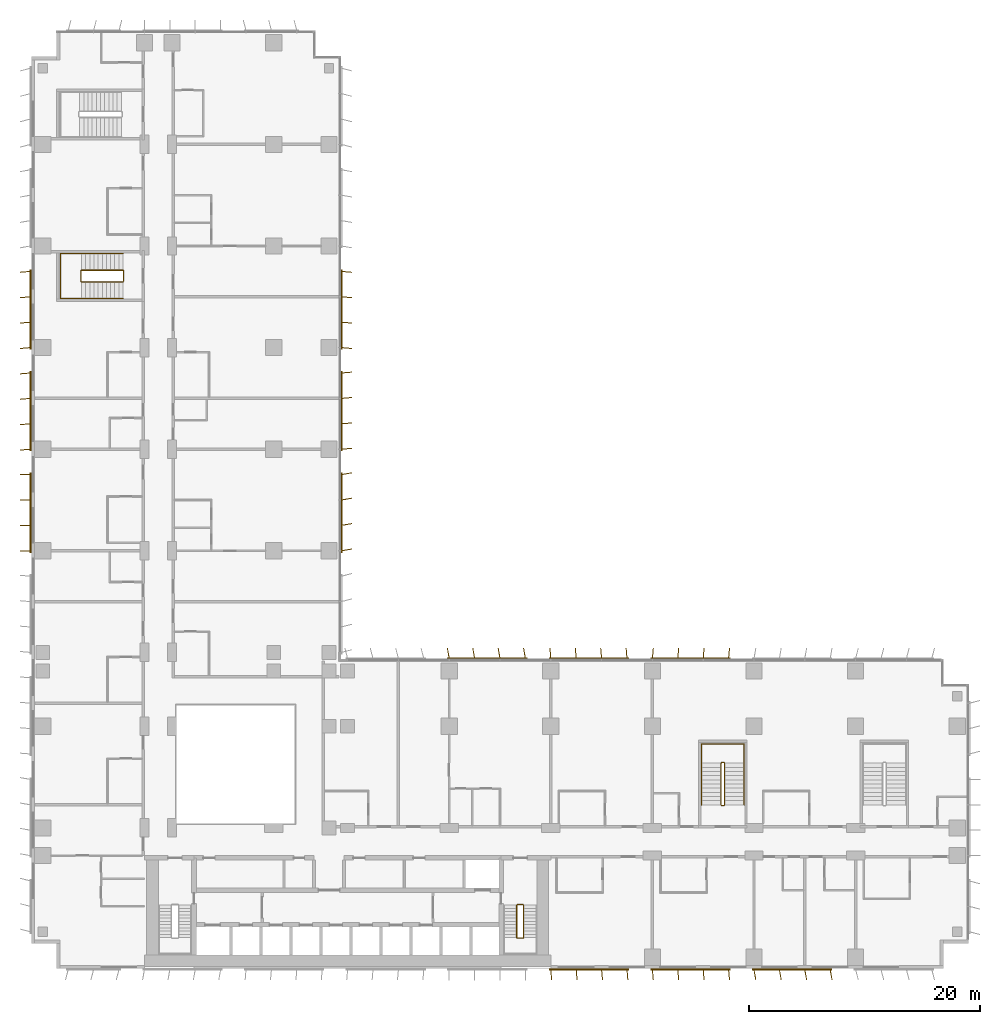
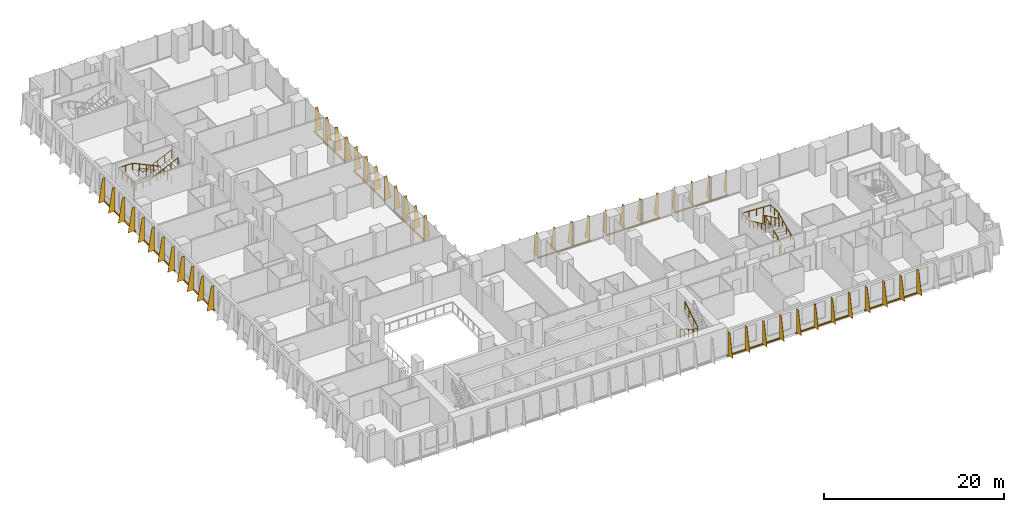
# One storey, part 22 of 24: 12 shading devices, 5 railings.
"""IFC4 building model written with IfcOpenShell, lengths in metres."""

import ifcopenshell
import ifcopenshell.guid

model = None  # the IFC model being written
_history = None  # IfcOwnerHistory: only IFC2X3 demands one
_inside = {}  # id of a spatial element -> (the spatial element, [elements in it])
_under = {}  # id of a project, library or spatial element -> (it, [spatial elements below it])
_declared = {}  # id of a project -> (the project, [libraries it declares])
_typed = {}  # id of a type object -> (the type object, [elements of that type])
_made_of = {}  # id of a material, layer set ... -> (it, [elements and type objects made of it])


def new_model(schema):
    """Start an empty IFC model of exactly this schema.

    Asked for "IFC4X3", IfcOpenShell would pick the latest addendum, in which some entities
    have other attributes; the version numbers below select the first issue.
    IFC2X3 requires an IfcOwnerHistory on every rooted entity: one is made here for all.
    """
    global model, _history
    if schema == "IFC4X3":
        model = ifcopenshell.file(schema_version=(4, 3, 0, 0))
    else:
        model = ifcopenshell.file(schema=schema)
    _inside.clear()
    _under.clear()
    _declared.clear()
    _typed.clear()
    _made_of.clear()
    _history = None
    if model.schema == "IFC2X3":
        org = make("IfcOrganization", Name="unknown")
        user = make(
            "IfcPersonAndOrganization",
            ThePerson=make("IfcPerson", FamilyName="unknown"),
            TheOrganization=org,
        )
        app = make(
            "IfcApplication",
            ApplicationDeveloper=org,
            Version="unknown",
            ApplicationFullName="unknown",
            ApplicationIdentifier="unknown",
        )
        _history = make(
            "IfcOwnerHistory",
            OwningUser=user,
            OwningApplication=app,
            ChangeAction="ADDED",
            CreationDate=0,
        )
    return model


def make(cls, **values):
    """One entity of the class cls with the attributes given. An attribute that is None is left unset."""
    return model.create_entity(
        cls, **{name: value for name, value in values.items() if value is not None}
    )


def rooted(cls, **values):
    """An entity with a GlobalId (a new one), such as an element, a storey or a relation."""
    return make(cls, GlobalId=ifcopenshell.guid.new(), OwnerHistory=_history, **values)


def si_unit(unit_type, name, prefix=None):
    """IfcSIUnit, for example si_unit("LENGTHUNIT", "METRE", prefix="MILLI")."""
    return make("IfcSIUnit", UnitType=unit_type, Prefix=prefix, Name=name)


def assignment(units):
    """IfcUnitAssignment: the units of a project."""
    return None if units is None else make("IfcUnitAssignment", Units=units)


def point(xyz):
    """IfcCartesianPoint."""
    return None if xyz is None else make("IfcCartesianPoint", Coordinates=xyz)


def direction(xyz):
    """IfcDirection."""
    return None if xyz is None else make("IfcDirection", DirectionRatios=xyz)


def frame(location, z_axis=None, x_axis=None):
    """IfcAxis2Placement3D, a coordinate frame: its origin and axes. An axis left out is left unset."""
    return make(
        "IfcAxis2Placement3D",
        Location=point(location),
        Axis=direction(z_axis),
        RefDirection=direction(x_axis),
    )


def frame_2d(location, x_axis=None):
    """IfcAxis2Placement2D, a coordinate frame in the plane: its origin and x axis."""
    return make(
        "IfcAxis2Placement2D", Location=point(location), RefDirection=direction(x_axis)
    )


def origin():
    """The frame at (0, 0, 0) with its axes left unset."""
    return frame((0.0, 0.0, 0.0))


def origin_2d():
    """The frame at (0, 0) in the plane with its x axis left unset."""
    return frame_2d((0.0, 0.0))


def place(relative_to, where):
    """IfcLocalPlacement: puts the frame where relative to a parent placement (None: the world)."""
    return make(
        "IfcLocalPlacement", PlacementRelTo=relative_to, RelativePlacement=where
    )


def context(
    kind, dimensions, precision=None, world=None, true_north=None, identifier=None
):
    """IfcGeometricRepresentationContext, for example the 3D "Model" context."""
    return make(
        "IfcGeometricRepresentationContext",
        ContextIdentifier=identifier,
        ContextType=kind,
        CoordinateSpaceDimension=dimensions,
        Precision=precision,
        WorldCoordinateSystem=world,
        TrueNorth=true_north,
    )


def subcontext(parent, identifier, kind, view, scale=None):
    """IfcGeometricRepresentationSubContext, for example "Body" below "Model"."""
    return make(
        "IfcGeometricRepresentationSubContext",
        ContextIdentifier=identifier,
        ContextType=kind,
        ParentContext=parent,
        TargetScale=scale,
        TargetView=view,
    )


def project(units=None, contexts=None):
    """IfcProject with its units and contexts."""
    return rooted(
        "IfcProject",
        Name="project",
        RepresentationContexts=contexts,
        UnitsInContext=assignment(units),
    )


def spatial(cls, under=None, at=None, **own):
    """A site, building, storey or space (cls), placed at a placement, below another one or the project."""
    s = rooted(cls, ObjectPlacement=at, **own)
    if under is not None:
        _under.setdefault(under.id(), (under, []))[1].append(s)
    return s


def polyline(points):
    """IfcPolyline through the points."""
    return make("IfcPolyline", Points=[point(p) for p in points])


def profile(cls, at=None, kind="AREA", **sizes):
    """A parametric profile (cls). Its sizes go by their IFC names, for example OverallWidth=200.0."""
    return make(cls, ProfileType=kind, Position=at, **sizes)


def rectangle(**sizes):
    """IfcRectangleProfileDef."""
    return profile("IfcRectangleProfileDef", **sizes)


def circle(**sizes):
    """IfcCircleProfileDef."""
    return profile("IfcCircleProfileDef", **sizes)


def outline(outer, holes=None, kind="AREA"):
    """IfcArbitraryClosedProfileDef: a profile drawn as a closed curve; with holes, ...WithVoids."""
    if holes is None:
        return make("IfcArbitraryClosedProfileDef", ProfileType=kind, OuterCurve=outer)
    return make(
        "IfcArbitraryProfileDefWithVoids",
        ProfileType=kind,
        OuterCurve=outer,
        InnerCurves=holes,
    )


def extrude(swept, where, along, depth):
    """IfcExtrudedAreaSolid: the profile swept, set in the frame where, extruded along a direction by depth."""
    return make(
        "IfcExtrudedAreaSolid",
        SweptArea=swept,
        Position=where,
        ExtrudedDirection=direction(along),
        Depth=depth,
    )


def shape(context_of_items, identifier, shape_type, items):
    """IfcShapeRepresentation: the items that make up one representation, for example the "Body"."""
    return make(
        "IfcShapeRepresentation",
        ContextOfItems=context_of_items,
        RepresentationIdentifier=identifier,
        RepresentationType=shape_type,
        Items=items,
    )


def source(mapping_origin, context_of_items, identifier, shape_type, items):
    """IfcRepresentationMap: a shape defined once, which mapped items show again and again."""
    return make(
        "IfcRepresentationMap",
        MappingOrigin=mapping_origin,
        MappedRepresentation=shape(context_of_items, identifier, shape_type, items),
    )


def transform(
    local_origin,
    x_axis=None,
    y_axis=None,
    z_axis=None,
    scale=None,
    scale2=None,
    scale3=None,
    uniform=True,
):
    """IfcCartesianTransformationOperator3D, or its non-uniform kind. x_axis, y_axis, z_axis: its Axis1, 2, 3."""
    if uniform:
        return make(
            "IfcCartesianTransformationOperator3D",
            Axis1=direction(x_axis),
            Axis2=direction(y_axis),
            LocalOrigin=point(local_origin),
            Scale=scale,
            Axis3=direction(z_axis),
        )
    return make(
        "IfcCartesianTransformationOperator3DnonUniform",
        Axis1=direction(x_axis),
        Axis2=direction(y_axis),
        LocalOrigin=point(local_origin),
        Scale=scale,
        Axis3=direction(z_axis),
        Scale2=scale2,
        Scale3=scale3,
    )


def mapped(mapping_source, mapping_target):
    """IfcMappedItem: shows the shape of a source again, moved by a transform."""
    return make(
        "IfcMappedItem", MappingSource=mapping_source, MappingTarget=mapping_target
    )


def material(Name=None, Category=None):
    """IfcMaterial."""
    return make("IfcMaterial", Name=Name, Category=Category)


def layer(
    of_material, thickness, ventilated=None, Name=None, Category=None, Priority=None
):
    """IfcMaterialLayer: one layer of a wall or slab, of a material (None: an air gap)."""
    return make(
        "IfcMaterialLayer",
        Material=of_material,
        LayerThickness=thickness,
        IsVentilated=ventilated,
        Name=Name,
        Category=Category,
        Priority=Priority,
    )


def layer_set(layers, Name=None):
    """IfcMaterialLayerSet."""
    return make("IfcMaterialLayerSet", MaterialLayers=layers, LayerSetName=Name)


def made_of(thing, what):
    """Note that an element or type object is made of a material, layer set ...; save() writes the relation."""
    if what is not None:
        _made_of.setdefault(what.id(), (what, []))[1].append(thing)
    return thing


def type_object(cls, material=None, **own):
    """A type object (cls), such as IfcWallType, which elements share."""
    return made_of(rooted(cls, **own), material)


def element(
    cls,
    number,
    at=None,
    inside=None,
    cuts=None,
    type_object=None,
    material=None,
    context=None,
    identifier="Body",
    shape_type=None,
    held_by="IfcProductDefinitionShape",
    body=None,
    shapes=None,
    **own,
):
    """One element of the class cls, such as IfcWall. Its Tag is "e" and its number.

    at: its placement. inside: the storey or other place that contains it. cuts: it is an
    opening in that element (IfcRelVoidsElement). A single representation is given by context,
    identifier, shape_type and body (its items); several are given by shapes. held_by: the class
    of the entity that holds the representations. save() writes the other relations.
    """
    e = rooted(cls, Tag="e%d" % number, ObjectPlacement=at, **own)
    if body is not None:
        shapes = [shape(context, identifier, shape_type, body)]
    if shapes is not None:
        e.Representation = make(held_by, Representations=shapes)
    if inside is not None:
        _inside.setdefault(inside.id(), (inside, []))[1].append(e)
    if cuts is not None:
        rooted(
            "IfcRelVoidsElement", RelatingBuildingElement=cuts, RelatedOpeningElement=e
        )
    if type_object is not None:
        _typed.setdefault(type_object.id(), (type_object, []))[1].append(e)
    return made_of(e, material)


def aggregate(whole, parts):
    """IfcRelAggregates: a whole, such as a stair, and the parts it consists of."""
    return rooted("IfcRelAggregates", RelatingObject=whole, RelatedObjects=parts)


def save(model, path):
    """Write the relations noted so far, then the file.

    IfcRelAggregates (storeys below a building ...), IfcRelContainedInSpatialStructure (elements
    in a storey), IfcRelDefinesByType, IfcRelAssociatesMaterial and IfcRelDeclares: one each for
    every whole, place, type object, material and project.
    """
    for whole, parts in _under.values():
        aggregate(whole, parts)
    for where, things in _inside.values():
        rooted(
            "IfcRelContainedInSpatialStructure",
            RelatedElements=things,
            RelatingStructure=where,
        )
    for kind, things in _typed.values():
        rooted("IfcRelDefinesByType", RelatedObjects=things, RelatingType=kind)
    for what, things in _made_of.values():
        rooted("IfcRelAssociatesMaterial", RelatedObjects=things, RelatingMaterial=what)
    for by, libraries in _declared.values():
        rooted("IfcRelDeclares", RelatingContext=by, RelatedDefinitions=libraries)
    model.write(path)


model = new_model("IFC4")

# Units and contexts
model_context = context("Model", 3, precision=1e-05, world=origin(), true_north=direction((0.0, 1.0)))
body_context = subcontext(model_context, "Body", "Model", "MODEL_VIEW")
ifc_project = project(units=[si_unit("LENGTHUNIT", "METRE"), si_unit("AREAUNIT", "SQUARE_METRE"), si_unit("VOLUMEUNIT", "CUBIC_METRE"), si_unit("PLANEANGLEUNIT", "RADIAN"), si_unit("MASSUNIT", "GRAM", prefix="KILO")], contexts=[model_context])

# Site, building, storey
site_placement = place(None, origin())
site = spatial("IfcSite", under=ifc_project, at=site_placement, CompositionType="ELEMENT")
building_placement = place(site_placement, origin())
building = spatial("IfcBuilding", under=site, at=building_placement, Name="Kemantara Hotel Tower", CompositionType="ELEMENT")
storey_placement = place(building_placement, frame((0.0, 0.0, 41.39990234375)))
storey = spatial("IfcBuildingStorey", under=building, at=storey_placement, Name="L08", CompositionType="ELEMENT", Elevation=41.39990234375)

# Railings
ifc_material_1 = material(Name="Stainless steel balustrade", Category="steel")
railing_type_1 = type_object("IfcRailingType", Name="Stair guard 1100 mm", PredefinedType="GUARDRAIL", material=ifc_material_1)
railing_1_placement = place(storey_placement, frame((42.64990234375, 5.5, 3.7001953125)))
element("IfcRailing", 1, at=railing_1_placement, inside=storey, type_object=railing_type_1, Name="L08 ST2 stair guard 1", PredefinedType="GUARDRAIL", context=body_context, shape_type="SweptSolid", body=[
    extrude(circle(Radius=0.02392578125, at=origin_2d()), frame((0.0, 0.0, 1.076171875), z_axis=(0.0, -0.857242210791, -0.514913383045), x_axis=(1.0, 0.0, 0.0)), (0.0, 0.0, 1.0), 3.266357421875),
    extrude(circle(Radius=0.02392578125, at=origin_2d()), frame((0.0, -2.800048828125, -0.60595703125), z_axis=(-0.273006030465, -0.27434429532, -0.922064485248), x_axis=(0.708833529934, -0.705375805398, 0.0)), (0.0, 0.0, 1.0), 0.182373046875),
    extrude(circle(Radius=0.02392578125, at=origin_2d()), frame((-0.0498046875, -2.85009765625, -0.77392578125), z_axis=(-1.0, 0.0, 0.0), x_axis=(0.0, -1.0, 0.0)), (0.0, 0.0, 1.0), 0.5),
    extrude(circle(Radius=0.02392578125, at=origin_2d()), frame((-0.5498046875, -2.85009765625, -0.77392578125), z_axis=(-0.707106781187, 0.707106781187, 0.0), x_axis=(-0.707106781187, -0.707106781187, 0.0)), (0.0, 0.0, 1.0), 0.07080078125),
    extrude(circle(Radius=0.02392578125, at=origin_2d()), frame((-0.599853515625, -2.800048828125, -0.77392578125), z_axis=(0.0, 0.857242210791, -0.514913383045), x_axis=(-1.0, 0.0, 0.0)), (0.0, 0.0, 1.0), 3.266357421875),
    extrude(circle(Radius=0.02392578125, at=origin_2d()), frame((-0.599853515625, 0.0, -2.4560546875), z_axis=(0.274243871929, 0.274243871929, -0.92172696468), x_axis=(-0.707106781187, 0.707106781187, 0.0)), (0.0, 0.0, 1.0), 0.1826171875),
    extrude(circle(Radius=0.02392578125, at=origin_2d()), frame((-0.5498046875, 0.050048828125, -2.6240234375), z_axis=(1.0, 0.0, 0.0), x_axis=(0.0, 1.0, 0.0)), (0.0, 0.0, 1.0), 0.5),
    extrude(circle(Radius=0.02099609375, at=origin_2d()), origin(), (0.0, 0.0, 1.0), 1.052001953125),
    extrude(circle(Radius=0.02099609375, at=origin_2d()), frame((0.0, -0.933349609375, -0.560546875)), (0.0, 0.0, 1.0), 1.052001953125),
    extrude(circle(Radius=0.02099609375, at=origin_2d()), frame((0.0, -1.86669921875, -1.121337890625)), (0.0, 0.0, 1.0), 1.052001953125),
    extrude(circle(Radius=0.02099609375, at=origin_2d()), frame((0.0, -2.800048828125, -1.681884765625)), (0.0, 0.0, 1.0), 1.052001953125),
    extrude(circle(Radius=0.02099609375, at=origin_2d()), frame((-0.0498046875, -2.85009765625, -1.85009765625)), (0.0, 0.0, 1.0), 1.052001953125),
    extrude(circle(Radius=0.02099609375, at=origin_2d()), frame((-0.5498046875, -2.85009765625, -1.85009765625)), (0.0, 0.0, 1.0), 1.052001953125),
    extrude(circle(Radius=0.02099609375, at=origin_2d()), frame((-0.599853515625, -2.800048828125, -1.85009765625)), (0.0, 0.0, 1.0), 1.052001953125),
    extrude(circle(Radius=0.02099609375, at=origin_2d()), frame((-0.599853515625, -1.86669921875, -2.41064453125)), (0.0, 0.0, 1.0), 1.052001953125),
    extrude(circle(Radius=0.02099609375, at=origin_2d()), frame((-0.599853515625, -0.933349609375, -2.971435546875)), (0.0, 0.0, 1.0), 1.052001953125),
    extrude(circle(Radius=0.02099609375, at=origin_2d()), frame((-0.599853515625, 0.0, -3.531982421875)), (0.0, 0.0, 1.0), 1.052001953125),
    extrude(circle(Radius=0.02099609375, at=origin_2d()), frame((-0.5498046875, 0.050048828125, -3.7001953125)), (0.0, 0.0, 1.0), 1.052001953125),
    extrude(circle(Radius=0.02099609375, at=origin_2d()), frame((-0.0498046875, 0.050048828125, -3.7001953125)), (0.0, 0.0, 1.0), 1.052001953125),
])
railing_2_placement = place(storey_placement, frame((59.75, 14.199951171875, 3.7001953125)))
element("IfcRailing", 2, at=railing_2_placement, inside=storey, type_object=railing_type_1, Name="L08 ST3 stair guard 1", PredefinedType="GUARDRAIL", context=body_context, shape_type="SweptSolid", body=[
    extrude(circle(Radius=0.02392578125, at=origin_2d()), frame((0.0, 0.0, 1.076171875), z_axis=(0.0, 0.906005689286, -0.423265508849), x_axis=(-1.0, 0.0, 0.0)), (0.0, 0.0, 1.0), 3.9736328125),
    extrude(circle(Radius=0.02392578125, at=origin_2d()), frame((0.0, 3.60009765625, -0.60595703125), z_axis=(0.274243871929, 0.274243871929, -0.92172696468), x_axis=(-0.707106781187, 0.707106781187, 0.0)), (0.0, 0.0, 1.0), 0.1826171875),
    extrude(circle(Radius=0.02392578125, at=origin_2d()), frame((0.050048828125, 3.650146484375, -0.77392578125), z_axis=(1.0, 0.0, 0.0), x_axis=(0.0, 1.0, 0.0)), (0.0, 0.0, 1.0), 0.199951171875),
    extrude(circle(Radius=0.02392578125, at=origin_2d()), frame((0.25, 3.650146484375, -0.77392578125), z_axis=(0.707106781187, -0.707106781187, 0.0), x_axis=(0.707106781187, 0.707106781187, 0.0)), (0.0, 0.0, 1.0), 0.07080078125),
    extrude(circle(Radius=0.02392578125, at=origin_2d()), frame((0.300048828125, 3.60009765625, -0.77392578125), z_axis=(0.0, -0.906005689286, -0.423265508849), x_axis=(1.0, 0.0, 0.0)), (0.0, 0.0, 1.0), 3.9736328125),
    extrude(circle(Radius=0.02392578125, at=origin_2d()), frame((0.300048828125, 0.0, -2.4560546875), z_axis=(-0.274243871929, -0.274243871929, -0.92172696468), x_axis=(0.707106781187, -0.707106781187, 0.0)), (0.0, 0.0, 1.0), 0.1826171875),
    extrude(circle(Radius=0.02392578125, at=origin_2d()), frame((0.25, -0.050048828125, -2.6240234375), z_axis=(-1.0, 0.0, 0.0), x_axis=(0.0, -1.0, 0.0)), (0.0, 0.0, 1.0), 0.199951171875),
    extrude(circle(Radius=0.02099609375, at=origin_2d()), origin(), (0.0, 0.0, 1.0), 1.052001953125),
    extrude(circle(Radius=0.02099609375, at=origin_2d()), frame((0.0, 0.89990234375, -0.42041015625)), (0.0, 0.0, 1.0), 1.052001953125),
    extrude(circle(Radius=0.02099609375, at=origin_2d()), frame((0.0, 1.800048828125, -0.8408203125)), (0.0, 0.0, 1.0), 1.052001953125),
    extrude(circle(Radius=0.02099609375, at=origin_2d()), frame((0.0, 2.7001953125, -1.261474609375)), (0.0, 0.0, 1.0), 1.052001953125),
    extrude(circle(Radius=0.02099609375, at=origin_2d()), frame((0.0, 3.60009765625, -1.681884765625)), (0.0, 0.0, 1.0), 1.052001953125),
    extrude(circle(Radius=0.02099609375, at=origin_2d()), frame((0.050048828125, 3.650146484375, -1.85009765625)), (0.0, 0.0, 1.0), 1.052001953125),
    extrude(circle(Radius=0.02099609375, at=origin_2d()), frame((0.25, 3.650146484375, -1.85009765625)), (0.0, 0.0, 1.0), 1.052001953125),
    extrude(circle(Radius=0.02099609375, at=origin_2d()), frame((0.300048828125, 3.60009765625, -1.85009765625)), (0.0, 0.0, 1.0), 1.052001953125),
    extrude(circle(Radius=0.02099609375, at=origin_2d()), frame((0.300048828125, 2.7001953125, -2.2705078125)), (0.0, 0.0, 1.0), 1.052001953125),
    extrude(circle(Radius=0.02099609375, at=origin_2d()), frame((0.300048828125, 1.800048828125, -2.69091796875)), (0.0, 0.0, 1.0), 1.052001953125),
    extrude(circle(Radius=0.02099609375, at=origin_2d()), frame((0.300048828125, 0.89990234375, -3.111572265625)), (0.0, 0.0, 1.0), 1.052001953125),
    extrude(circle(Radius=0.02099609375, at=origin_2d()), frame((0.300048828125, 0.0, -3.531982421875)), (0.0, 0.0, 1.0), 1.052001953125),
    extrude(circle(Radius=0.02099609375, at=origin_2d()), frame((0.25, -0.050048828125, -3.7001953125)), (0.0, 0.0, 1.0), 1.052001953125),
    extrude(circle(Radius=0.02099609375, at=origin_2d()), frame((0.050048828125, -0.050048828125, -3.7001953125)), (0.0, 0.0, 1.0), 1.052001953125),
])
railing_3_placement = place(storey_placement, frame((7.949951171875, 59.5, 3.7001953125)))
element("IfcRailing", 3, at=railing_3_placement, inside=storey, type_object=railing_type_1, Name="L08 ST4 stair guard 1", PredefinedType="GUARDRAIL", context=body_context, shape_type="SweptSolid", body=[
    extrude(circle(Radius=0.02392578125, at=origin_2d()), frame((0.0, 0.0, 1.076171875), z_axis=(-0.905994681025, 0.0, -0.423289071386), x_axis=(0.0, -1.0, 0.0)), (0.0, 0.0, 1.0), 3.973388671875),
    extrude(circle(Radius=0.02392578125, at=origin_2d()), frame((-3.599853515625, 0.0, -0.60595703125), z_axis=(-0.274243871929, 0.274243871929, -0.92172696468), x_axis=(-0.707106781187, -0.707106781187, 0.0)), (0.0, 0.0, 1.0), 0.1826171875),
    extrude(circle(Radius=0.02392578125, at=origin_2d()), frame((-3.64990234375, 0.050048828125, -0.77392578125), z_axis=(0.0, 1.0, 0.0), x_axis=(-1.0, 0.0, 0.0)), (0.0, 0.0, 1.0), 0.89990234375),
    extrude(circle(Radius=0.02392578125, at=origin_2d()), frame((-3.64990234375, 0.949951171875, -0.77392578125), z_axis=(0.707106781187, 0.707106781187, 0.0), x_axis=(-0.707106781187, 0.707106781187, 0.0)), (0.0, 0.0, 1.0), 0.07080078125),
    extrude(circle(Radius=0.02392578125, at=origin_2d()), frame((-3.599853515625, 1.0, -0.77392578125), z_axis=(0.905994681025, 0.0, -0.423289071386), x_axis=(0.0, 1.0, 0.0)), (0.0, 0.0, 1.0), 3.973388671875),
    extrude(circle(Radius=0.02392578125, at=origin_2d()), frame((0.0, 1.0, -2.4560546875), z_axis=(0.274243871929, -0.274243871929, -0.92172696468), x_axis=(0.707106781187, 0.707106781187, 0.0)), (0.0, 0.0, 1.0), 0.1826171875),
    extrude(circle(Radius=0.02392578125, at=origin_2d()), frame((0.050048828125, 0.949951171875, -2.6240234375), z_axis=(0.0, -1.0, 0.0), x_axis=(1.0, 0.0, 0.0)), (0.0, 0.0, 1.0), 0.89990234375),
    extrude(circle(Radius=0.02099609375, at=origin_2d()), origin(), (0.0, 0.0, 1.0), 1.052001953125),
    extrude(circle(Radius=0.02099609375, at=origin_2d()), frame((-0.89990234375, 0.0, -0.42041015625)), (0.0, 0.0, 1.0), 1.052001953125),
    extrude(circle(Radius=0.02099609375, at=origin_2d()), frame((-1.7998046875, 0.0, -0.8408203125)), (0.0, 0.0, 1.0), 1.052001953125),
    extrude(circle(Radius=0.02099609375, at=origin_2d()), frame((-2.699951171875, 0.0, -1.261474609375)), (0.0, 0.0, 1.0), 1.052001953125),
    extrude(circle(Radius=0.02099609375, at=origin_2d()), frame((-3.599853515625, 0.0, -1.681884765625)), (0.0, 0.0, 1.0), 1.052001953125),
    extrude(circle(Radius=0.02099609375, at=origin_2d()), frame((-3.64990234375, 0.050048828125, -1.85009765625)), (0.0, 0.0, 1.0), 1.052001953125),
    extrude(circle(Radius=0.02099609375, at=origin_2d()), frame((-3.64990234375, 0.949951171875, -1.85009765625)), (0.0, 0.0, 1.0), 1.052001953125),
    extrude(circle(Radius=0.02099609375, at=origin_2d()), frame((-3.599853515625, 1.0, -1.85009765625)), (0.0, 0.0, 1.0), 1.052001953125),
    extrude(circle(Radius=0.02099609375, at=origin_2d()), frame((-2.699951171875, 1.0, -2.2705078125)), (0.0, 0.0, 1.0), 1.052001953125),
    extrude(circle(Radius=0.02099609375, at=origin_2d()), frame((-1.7998046875, 1.0, -2.69091796875)), (0.0, 0.0, 1.0), 1.052001953125),
    extrude(circle(Radius=0.02099609375, at=origin_2d()), frame((-0.89990234375, 1.0, -3.111572265625)), (0.0, 0.0, 1.0), 1.052001953125),
    extrude(circle(Radius=0.02099609375, at=origin_2d()), frame((0.0, 1.0, -3.531982421875)), (0.0, 0.0, 1.0), 1.052001953125),
    extrude(circle(Radius=0.02099609375, at=origin_2d()), frame((0.050048828125, 0.949951171875, -3.7001953125)), (0.0, 0.0, 1.0), 1.052001953125),
    extrude(circle(Radius=0.02099609375, at=origin_2d()), frame((0.050048828125, 0.050048828125, -3.7001953125)), (0.0, 0.0, 1.0), 1.052001953125),
])
railing_type_2 = type_object("IfcRailingType", Name="Stair handrail 900 mm", PredefinedType="HANDRAIL", material=ifc_material_1)
railing_4_placement = place(storey_placement, frame((61.75, 14.199951171875, 0.168212890625)))
element("IfcRailing", 4, at=railing_4_placement, inside=storey, type_object=railing_type_2, Name="L08 ST3 stair handrail 1", PredefinedType="HANDRAIL", context=body_context, shape_type="SweptSolid", body=[
    extrude(circle(Radius=0.02392578125, at=origin_2d()), frame((0.0, 0.0, 0.8759765625), z_axis=(0.0, 0.906005689286, 0.423265508849), x_axis=(-1.0, 0.0, 0.0)), (0.0, 0.0, 1.0), 3.9736328125),
    extrude(circle(Radius=0.02392578125, at=origin_2d()), frame((0.0, 3.60009765625, 2.5576171875), z_axis=(0.0, 1.0, 0.0), x_axis=(-1.0, 0.0, 0.0)), (0.0, 0.0, 1.0), 1.679931640625),
    extrude(circle(Radius=0.02392578125, at=origin_2d()), frame((0.0, 5.280029296875, 2.5576171875), z_axis=(-0.998968132438, 0.0, 0.045416631029), x_axis=(0.0, -1.0, 0.0)), (0.0, 0.0, 1.0), 3.703857421875),
    extrude(circle(Radius=0.02392578125, at=origin_2d()), frame((-3.699951171875, 5.280029296875, 2.72607421875), z_axis=(0.0, -1.0, 0.0), x_axis=(1.0, 0.0, 0.0)), (0.0, 0.0, 1.0), 1.679931640625),
    extrude(circle(Radius=0.02392578125, at=origin_2d()), frame((-3.699951171875, 3.60009765625, 2.72607421875), z_axis=(0.0, -0.906005689286, 0.423265508849), x_axis=(1.0, 0.0, 0.0)), (0.0, 0.0, 1.0), 3.9736328125),
    extrude(circle(Radius=0.02099609375, at=origin_2d()), origin(), (0.0, 0.0, 1.0), 0.851806640625),
    extrude(circle(Radius=0.02099609375, at=origin_2d()), frame((0.0, 0.89990234375, 0.42041015625)), (0.0, 0.0, 1.0), 0.851806640625),
    extrude(circle(Radius=0.02099609375, at=origin_2d()), frame((0.0, 1.800048828125, 0.8408203125)), (0.0, 0.0, 1.0), 0.851806640625),
    extrude(circle(Radius=0.02099609375, at=origin_2d()), frame((0.0, 2.7001953125, 1.261474609375)), (0.0, 0.0, 1.0), 0.851806640625),
    extrude(circle(Radius=0.02099609375, at=origin_2d()), frame((0.0, 3.60009765625, 1.681884765625)), (0.0, 0.0, 1.0), 0.851806640625),
    extrude(circle(Radius=0.02099609375, at=origin_2d()), frame((0.0, 4.43994140625, 1.681884765625)), (0.0, 0.0, 1.0), 0.851806640625),
    extrude(circle(Radius=0.02099609375, at=origin_2d()), frame((0.0, 5.280029296875, 1.681884765625)), (0.0, 0.0, 1.0), 0.851806640625),
    extrude(circle(Radius=0.02099609375, at=origin_2d()), frame((-0.925048828125, 5.280029296875, 1.723876953125)), (0.0, 0.0, 1.0), 0.851806640625),
    extrude(circle(Radius=0.02099609375, at=origin_2d()), frame((-1.85009765625, 5.280029296875, 1.76611328125)), (0.0, 0.0, 1.0), 0.851806640625),
    extrude(circle(Radius=0.02099609375, at=origin_2d()), frame((-2.77490234375, 5.280029296875, 1.80810546875)), (0.0, 0.0, 1.0), 0.851806640625),
    extrude(circle(Radius=0.02099609375, at=origin_2d()), frame((-3.699951171875, 5.280029296875, 1.85009765625)), (0.0, 0.0, 1.0), 0.851806640625),
    extrude(circle(Radius=0.02099609375, at=origin_2d()), frame((-3.699951171875, 4.43994140625, 1.85009765625)), (0.0, 0.0, 1.0), 0.851806640625),
    extrude(circle(Radius=0.02099609375, at=origin_2d()), frame((-3.699951171875, 3.60009765625, 1.85009765625)), (0.0, 0.0, 1.0), 0.851806640625),
    extrude(circle(Radius=0.02099609375, at=origin_2d()), frame((-3.699951171875, 2.7001953125, 2.2705078125)), (0.0, 0.0, 1.0), 0.851806640625),
    extrude(circle(Radius=0.02099609375, at=origin_2d()), frame((-3.699951171875, 1.800048828125, 2.69091796875)), (0.0, 0.0, 1.0), 0.851806640625),
    extrude(circle(Radius=0.02099609375, at=origin_2d()), frame((-3.699951171875, 0.89990234375, 3.111572265625)), (0.0, 0.0, 1.0), 0.851806640625),
    extrude(circle(Radius=0.02099609375, at=origin_2d()), frame((-3.699951171875, 0.0, 3.531982421875)), (0.0, 0.0, 1.0), 0.851806640625),
])
railing_5_placement = place(storey_placement, frame((7.949951171875, 61.949951171875, 0.168212890625)))
element("IfcRailing", 5, at=railing_5_placement, inside=storey, type_object=railing_type_2, Name="L08 ST4 stair handrail 1", PredefinedType="HANDRAIL", context=body_context, shape_type="SweptSolid", body=[
    extrude(circle(Radius=0.02392578125, at=origin_2d()), frame((0.0, 0.0, 0.8759765625), z_axis=(-0.905994681025, 0.0, 0.423289071386), x_axis=(0.0, -1.0, 0.0)), (0.0, 0.0, 1.0), 3.973388671875),
    extrude(circle(Radius=0.02392578125, at=origin_2d()), frame((-3.599853515625, 0.0, 2.5576171875), z_axis=(-1.0, 0.0, 0.0), x_axis=(0.0, -1.0, 0.0)), (0.0, 0.0, 1.0), 1.830078125),
    extrude(circle(Radius=0.02392578125, at=origin_2d()), frame((-5.429931640625, 0.0, 2.5576171875), z_axis=(0.0, -0.999071085748, 0.043092523981), x_axis=(1.0, 0.0, 0.0)), (0.0, 0.0, 1.0), 3.903564453125),
    extrude(circle(Radius=0.02392578125, at=origin_2d()), frame((-5.429931640625, -3.89990234375, 2.72607421875), z_axis=(1.0, 0.0, 0.0), x_axis=(0.0, 1.0, 0.0)), (0.0, 0.0, 1.0), 1.830078125),
    extrude(circle(Radius=0.02392578125, at=origin_2d()), frame((-3.599853515625, -3.89990234375, 2.72607421875), z_axis=(0.905994681025, 0.0, 0.423289071386), x_axis=(0.0, 1.0, 0.0)), (0.0, 0.0, 1.0), 3.973388671875),
    extrude(circle(Radius=0.02099609375, at=origin_2d()), origin(), (0.0, 0.0, 1.0), 0.851806640625),
    extrude(circle(Radius=0.02099609375, at=origin_2d()), frame((-0.89990234375, 0.0, 0.42041015625)), (0.0, 0.0, 1.0), 0.851806640625),
    extrude(circle(Radius=0.02099609375, at=origin_2d()), frame((-1.7998046875, 0.0, 0.8408203125)), (0.0, 0.0, 1.0), 0.851806640625),
    extrude(circle(Radius=0.02099609375, at=origin_2d()), frame((-2.699951171875, 0.0, 1.261474609375)), (0.0, 0.0, 1.0), 0.851806640625),
    extrude(circle(Radius=0.02099609375, at=origin_2d()), frame((-3.599853515625, 0.0, 1.681884765625)), (0.0, 0.0, 1.0), 0.851806640625),
    extrude(circle(Radius=0.02099609375, at=origin_2d()), frame((-4.514892578125, 0.0, 1.681884765625)), (0.0, 0.0, 1.0), 0.851806640625),
    extrude(circle(Radius=0.02099609375, at=origin_2d()), frame((-5.429931640625, 0.0, 1.681884765625)), (0.0, 0.0, 1.0), 0.851806640625),
    extrude(circle(Radius=0.02099609375, at=origin_2d()), frame((-5.429931640625, -0.97509765625, 1.723876953125)), (0.0, 0.0, 1.0), 0.851806640625),
    extrude(circle(Radius=0.02099609375, at=origin_2d()), frame((-5.429931640625, -1.949951171875, 1.76611328125)), (0.0, 0.0, 1.0), 0.851806640625),
    extrude(circle(Radius=0.02099609375, at=origin_2d()), frame((-5.429931640625, -2.9248046875, 1.80810546875)), (0.0, 0.0, 1.0), 0.851806640625),
    extrude(circle(Radius=0.02099609375, at=origin_2d()), frame((-5.429931640625, -3.89990234375, 1.85009765625)), (0.0, 0.0, 1.0), 0.851806640625),
    extrude(circle(Radius=0.02099609375, at=origin_2d()), frame((-4.514892578125, -3.89990234375, 1.85009765625)), (0.0, 0.0, 1.0), 0.851806640625),
    extrude(circle(Radius=0.02099609375, at=origin_2d()), frame((-3.599853515625, -3.89990234375, 1.85009765625)), (0.0, 0.0, 1.0), 0.851806640625),
    extrude(circle(Radius=0.02099609375, at=origin_2d()), frame((-2.699951171875, -3.89990234375, 2.2705078125)), (0.0, 0.0, 1.0), 0.851806640625),
    extrude(circle(Radius=0.02099609375, at=origin_2d()), frame((-1.7998046875, -3.89990234375, 2.69091796875)), (0.0, 0.0, 1.0), 0.851806640625),
    extrude(circle(Radius=0.02099609375, at=origin_2d()), frame((-0.89990234375, -3.89990234375, 3.111572265625)), (0.0, 0.0, 1.0), 0.851806640625),
    extrude(circle(Radius=0.02099609375, at=origin_2d()), frame((0.0, -3.89990234375, 3.531982421875)), (0.0, 0.0, 1.0), 0.851806640625),
])

# Shading devices
ifc_material_2 = material(Name="Perforated aluminium plate 4 mm bronze anodised", Category="aluminium")
ifc_layer_1 = layer(ifc_material_2, 0.0400390625)
ifc_layer_set_1 = layer_set([ifc_layer_1], Name="Perforated aluminium plate 4 mm bronze anodised")
shading_device_type_1 = type_object("IfcShadingDeviceType", Name="SCREEN FIN CASSETTE, 4 BLADES AT -5.0 DEG, 3200 HIGH", PredefinedType="USERDEFINED", material=ifc_layer_set_1)
shared_shape_1 = source(origin(), body_context, "Body", "SweptSolid", [
    extrude(rectangle(XDim=6.89990234375, YDim=0.14990234375, at=origin_2d()), frame((3.300048828125, -0.074951171875, -0.14990234375), z_axis=(0.0, 0.0, 1.0), x_axis=(1.0, 0.0, 0.0)), (0.0, 0.0, 1.0), 0.14990234375),
    extrude(outline(polyline([(0.0, 0.0), (0.89990234375, 0.0), (0.35009765625, 3.199951171875), (0.0, 3.199951171875), (0.0, 0.0)])), frame((0.02001953125, -0.07666015625, 0.0), z_axis=(-0.996376129781, 0.085056498884, 0.0), x_axis=(-0.085056498884, -0.996376129781, 0.0)), (0.0, 0.0, 1.0), 0.040283203125),
    extrude(outline(polyline([(0.0, 0.0), (0.89990234375, 0.0), (0.35009765625, 3.199951171875), (0.0, 3.199951171875), (0.0, 0.0)])), frame((2.219970703125, -0.07666015625, 0.0), z_axis=(-0.996331773833, 0.085574508182, 0.0), x_axis=(-0.085574508182, -0.996331773833, 0.0)), (0.0, 0.0, 1.0), 0.0400390625),
    extrude(outline(polyline([(0.0, 0.0), (0.89990234375, 0.0), (0.35009765625, 3.199951171875), (0.0, 3.199951171875), (0.0, 0.0)])), frame((4.419921875, -0.07666015625, 0.0), z_axis=(-0.996331773833, 0.085574508182, 0.0), x_axis=(-0.085574508182, -0.996331773833, 0.0)), (0.0, 0.0, 1.0), 0.0400390625),
    extrude(outline(polyline([(0.0, 0.0), (0.89990234375, 0.0), (0.35009765625, 3.199951171875), (0.0, 3.199951171875), (0.0, 0.0)])), frame((6.619873046875, -0.07666015625, 0.0), z_axis=(-0.996331773833, 0.085574508182, 0.0), x_axis=(-0.085574508182, -0.996331773833, 0.0)), (0.0, 0.0, 1.0), 0.0400390625),
])
for number, where, z_axis, x_axis, name in (
    (6, (60.39990234375, 26.800048828125, 0.10009765625), (0.0, 0.0, 1.0), (-1.0, 0.0, 0.0), "SCREEN FIN CASSETTE L08 T1-R07-3"),
    (7, (26.800048828125, 53.800048828125, 0.10009765625), (0.0, 0.0, 1.0), (0.0, 1.0, 0.0), "SCREEN FIN CASSETTE L08 T1-R08-4"),
):
    element("IfcShadingDevice", number, at=place(storey_placement, frame(where, z_axis=z_axis, x_axis=x_axis)), inside=storey, type_object=shading_device_type_1, Name=name, ObjectType="SCREEN FIN", PredefinedType="USERDEFINED", context=body_context, shape_type="MappedRepresentation", body=[
        mapped(shared_shape_1, transform((0.0, 0.0, 0.0))),
    ])
ifc_layer_2 = layer(ifc_material_2, 0.0400390625)
ifc_layer_set_2 = layer_set([ifc_layer_2], Name="Perforated aluminium plate 4 mm bronze anodised")
shading_device_type_2 = type_object("IfcShadingDeviceType", Name="SCREEN FIN CASSETTE, 4 BLADES AT +0.0 DEG, 3200 HIGH", PredefinedType="USERDEFINED", material=ifc_layer_set_2)
shared_shape_2 = source(origin(), body_context, "Body", "SweptSolid", [
    extrude(rectangle(XDim=6.89990234375, YDim=0.14990234375, at=origin_2d()), frame((3.300048828125, -0.074951171875, -0.14990234375), z_axis=(0.0, 0.0, 1.0), x_axis=(1.0, 0.0, 0.0)), (0.0, 0.0, 1.0), 0.14990234375),
    extrude(outline(polyline([(0.0, 0.0), (0.89990234375, 0.0), (0.35009765625, 3.199951171875), (0.0, 3.199951171875), (0.0, 0.0)])), frame((0.02001953125, -0.074951171875, 0.0), z_axis=(-1.0, 0.0, 0.0), x_axis=(0.0, -1.0, 0.0)), (0.0, 0.0, 1.0), 0.0400390625),
    extrude(outline(polyline([(0.0, 0.0), (0.89990234375, 0.0), (0.35009765625, 3.199951171875), (0.0, 3.199951171875), (0.0, 0.0)])), frame((2.219970703125, -0.074951171875, 0.0), z_axis=(-1.0, 0.0, 0.0), x_axis=(0.0, -1.0, 0.0)), (0.0, 0.0, 1.0), 0.0400390625),
    extrude(outline(polyline([(0.0, 0.0), (0.89990234375, 0.0), (0.35009765625, 3.199951171875), (0.0, 3.199951171875), (0.0, 0.0)])), frame((4.419921875, -0.074951171875, 0.0), z_axis=(-1.0, 0.0, 0.0), x_axis=(0.0, -1.0, 0.0)), (0.0, 0.0, 1.0), 0.0400390625),
    extrude(outline(polyline([(0.0, 0.0), (0.89990234375, 0.0), (0.35009765625, 3.199951171875), (0.0, 3.199951171875), (0.0, 0.0)])), frame((6.6201171875, -0.074951171875, 0.0), z_axis=(-1.0, 0.0, 0.0), x_axis=(0.0, -1.0, 0.0)), (0.0, 0.0, 1.0), 0.0400390625),
])
shading_device_placement = place(storey_placement, frame((0.0, 42.800048828125, 0.10009765625), z_axis=(0.0, 0.0, 1.0), x_axis=(0.0, -1.0, 0.0)))
element("IfcShadingDevice", 8, at=shading_device_placement, inside=storey, type_object=shading_device_type_2, Name="SCREEN FIN CASSETTE L08 T1-R14-5", ObjectType="SCREEN FIN", PredefinedType="USERDEFINED", context=body_context, shape_type="MappedRepresentation", body=[
    mapped(shared_shape_2, transform((0.0, 0.0, 0.0))),
])
ifc_layer_3 = layer(ifc_material_2, 0.0400390625)
ifc_layer_set_3 = layer_set([ifc_layer_3], Name="Perforated aluminium plate 4 mm bronze anodised")
shading_device_type_3 = type_object("IfcShadingDeviceType", Name="SCREEN FIN CASSETTE, 4 BLADES AT +5.0 DEG, 3200 HIGH", PredefinedType="USERDEFINED", material=ifc_layer_set_3)
shared_shape_3 = source(origin(), body_context, "Body", "SweptSolid", [
    extrude(rectangle(XDim=6.89990234375, YDim=0.14990234375, at=origin_2d()), frame((3.300048828125, -0.074951171875, -0.14990234375), z_axis=(0.0, 0.0, 1.0), x_axis=(1.0, 0.0, 0.0)), (0.0, 0.0, 1.0), 0.14990234375),
    extrude(outline(polyline([(0.0, 0.0), (0.89990234375, 0.0), (0.35009765625, 3.199951171875), (0.0, 3.199951171875), (0.0, 0.0)])), frame((0.02001953125, -0.0732421875, 0.0), z_axis=(-0.996376129781, -0.085056498884, 0.0), x_axis=(0.085056498884, -0.996376129781, 0.0)), (0.0, 0.0, 1.0), 0.040283203125),
    extrude(outline(polyline([(0.0, 0.0), (0.89990234375, 0.0), (0.35009765625, 3.199951171875), (0.0, 3.199951171875), (0.0, 0.0)])), frame((2.219970703125, -0.0732421875, 0.0), z_axis=(-0.996331773833, -0.085574508182, 0.0), x_axis=(0.085574508182, -0.996331773833, 0.0)), (0.0, 0.0, 1.0), 0.0400390625),
    extrude(outline(polyline([(0.0, 0.0), (0.89990234375, 0.0), (0.35009765625, 3.199951171875), (0.0, 3.199951171875), (0.0, 0.0)])), frame((4.419921875, -0.0732421875, 0.0), z_axis=(-0.996331773833, -0.085574508182, 0.0), x_axis=(0.085574508182, -0.996331773833, 0.0)), (0.0, 0.0, 1.0), 0.0400390625),
    extrude(outline(polyline([(0.0, 0.0), (0.89990234375, 0.0), (0.35009765625, 3.199951171875), (0.0, 3.199951171875), (0.0, 0.0)])), frame((6.619873046875, -0.0732421875, 0.0), z_axis=(-0.996331773833, -0.085574508182, 0.0), x_axis=(0.085574508182, -0.996331773833, 0.0)), (0.0, 0.0, 1.0), 0.0400390625),
])
for number, where, z_axis, x_axis, name in (
    (9, (45.0, 0.0, 0.10009765625), (0.0, 0.0, 1.0), (1.0, 0.0, 0.0), "SCREEN FIN CASSETTE L08 T1-R01-6"),
    (10, (53.800048828125, 0.0, 0.10009765625), (0.0, 0.0, 1.0), (1.0, 0.0, 0.0), "SCREEN FIN CASSETTE L08 T1-R01-7"),
    (11, (51.60009765625, 26.800048828125, 0.10009765625), (0.0, 0.0, 1.0), (-1.0, 0.0, 0.0), "SCREEN FIN CASSETTE L08 T1-R07-4"),
    (12, (26.800048828125, 45.0, 0.10009765625), (0.0, 0.0, 1.0), (0.0, 1.0, 0.0), "SCREEN FIN CASSETTE L08 T1-R08-3"),
    (13, (0.0, 60.39990234375, 0.10009765625), (0.0, 0.0, 1.0), (0.0, -1.0, 0.0), "SCREEN FIN CASSETTE L08 T1-R14-3"),
    (14, (0.0, 51.60009765625, 0.10009765625), (0.0, 0.0, 1.0), (0.0, -1.0, 0.0), "SCREEN FIN CASSETTE L08 T1-R14-4"),
):
    element("IfcShadingDevice", number, at=place(storey_placement, frame(where, z_axis=z_axis, x_axis=x_axis)), inside=storey, type_object=shading_device_type_3, Name=name, ObjectType="SCREEN FIN", PredefinedType="USERDEFINED", context=body_context, shape_type="MappedRepresentation", body=[
        mapped(shared_shape_3, transform((0.0, 0.0, 0.0))),
    ])
ifc_layer_4 = layer(ifc_material_2, 0.0400390625)
ifc_layer_set_4 = layer_set([ifc_layer_4], Name="Perforated aluminium plate 4 mm bronze anodised")
shading_device_type_4 = type_object("IfcShadingDeviceType", Name="SCREEN FIN CASSETTE, 4 BLADES AT +10.0 DEG, 3200 HIGH", PredefinedType="USERDEFINED", material=ifc_layer_set_4)
shared_shape_4 = source(origin(), body_context, "Body", "SweptSolid", [
    extrude(rectangle(XDim=6.89990234375, YDim=0.14990234375, at=origin_2d()), frame((3.300048828125, -0.074951171875, -0.14990234375), z_axis=(0.0, 0.0, 1.0), x_axis=(1.0, 0.0, 0.0)), (0.0, 0.0, 1.0), 0.14990234375),
    extrude(outline(polyline([(0.0, 0.0), (0.89990234375, 0.0), (0.35009765625, 3.199951171875), (0.0, 3.199951171875), (0.0, 0.0)])), frame((0.019775390625, -0.071533203125, 0.0), z_axis=(-0.985389793052, -0.170314285219, 0.0), x_axis=(0.170314285219, -0.985389793052, 0.0)), (0.0, 0.0, 1.0), 0.0400390625),
    extrude(outline(polyline([(0.0, 0.0), (0.89990234375, 0.0), (0.35009765625, 3.199951171875), (0.0, 3.199951171875), (0.0, 0.0)])), frame((2.2197265625, -0.071533203125, 0.0), z_axis=(-0.98521175482, -0.171341174751, 0.0), x_axis=(0.171341174751, -0.98521175482, 0.0)), (0.0, 0.0, 1.0), 0.039794921875),
    extrude(outline(polyline([(0.0, 0.0), (0.89990234375, 0.0), (0.35009765625, 3.199951171875), (0.0, 3.199951171875), (0.0, 0.0)])), frame((4.419677734375, -0.071533203125, 0.0), z_axis=(-0.98521175482, -0.171341174751, 0.0), x_axis=(0.171341174751, -0.98521175482, 0.0)), (0.0, 0.0, 1.0), 0.039794921875),
    extrude(outline(polyline([(0.0, 0.0), (0.89990234375, 0.0), (0.35009765625, 3.199951171875), (0.0, 3.199951171875), (0.0, 0.0)])), frame((6.61962890625, -0.071533203125, 0.0), z_axis=(-0.98521175482, -0.171341174751, 0.0), x_axis=(0.171341174751, -0.98521175482, 0.0)), (0.0, 0.0, 1.0), 0.039794921875),
])
for number, where, z_axis, x_axis, name in (
    (15, (62.60009765625, 0.0, 0.10009765625), (0.0, 0.0, 1.0), (1.0, 0.0, 0.0), "SCREEN FIN CASSETTE L08 T1-R01-8"),
    (16, (42.800048828125, 26.800048828125, 0.10009765625), (0.0, 0.0, 1.0), (-1.0, 0.0, 0.0), "SCREEN FIN CASSETTE L08 T1-R07-5"),
    (17, (26.800048828125, 36.199951171875, 0.10009765625), (0.0, 0.0, 1.0), (0.0, 1.0, 0.0), "SCREEN FIN CASSETTE L08 T1-R08-2"),
):
    element("IfcShadingDevice", number, at=place(storey_placement, frame(where, z_axis=z_axis, x_axis=x_axis)), inside=storey, type_object=shading_device_type_4, Name=name, ObjectType="SCREEN FIN", PredefinedType="USERDEFINED", context=body_context, shape_type="MappedRepresentation", body=[
        mapped(shared_shape_4, transform((0.0, 0.0, 0.0))),
    ])

save(model, "model.ifc")
